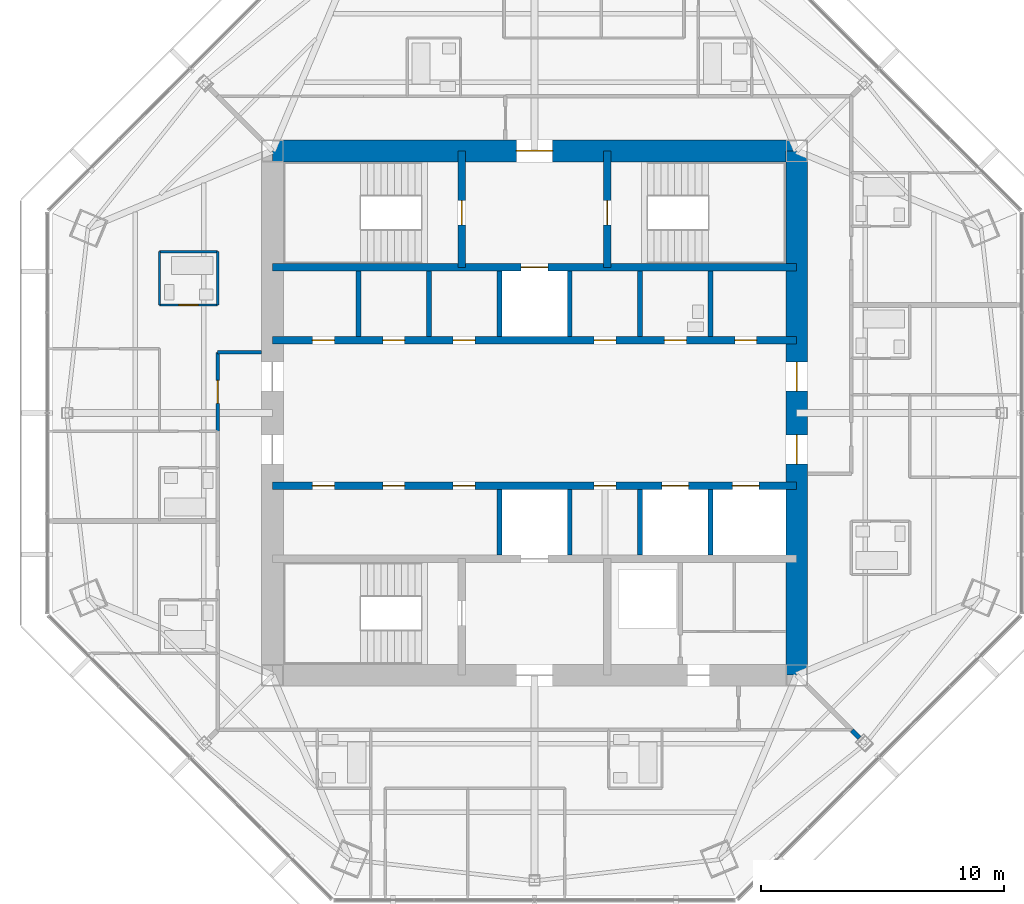
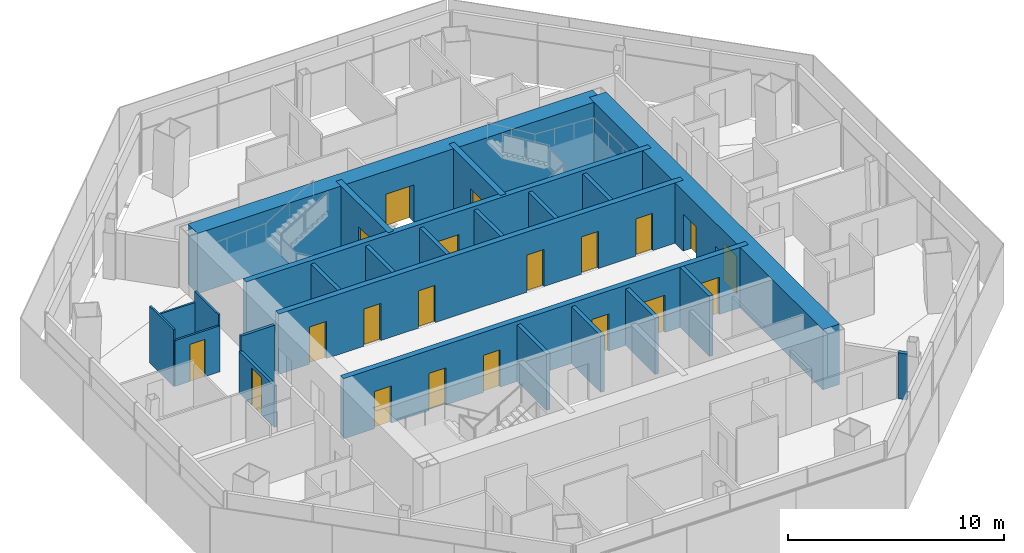
# One storey, part 11 of 15: 24 walls, 20 doors, 20 openings.
"""IFC4 building model written with IfcOpenShell, lengths in metres."""

from ifc_helpers import new_model, si_unit, direction, frame, frame_2d, origin, place, context, subcontext, project, spatial, rectangle, extrude, material, layer, layer_set, type_object, element, fill, save


model = new_model("IFC4")

# Units and contexts
model_context = context("Model", 3, precision=1e-05, world=origin(), true_north=direction((0.0, 1.0)))
body_context = subcontext(model_context, "Body", "Model", "MODEL_VIEW")
ifc_project = project(units=[si_unit("LENGTHUNIT", "METRE"), si_unit("AREAUNIT", "SQUARE_METRE"), si_unit("VOLUMEUNIT", "CUBIC_METRE"), si_unit("PLANEANGLEUNIT", "RADIAN"), si_unit("MASSUNIT", "GRAM", prefix="KILO")], contexts=[model_context])

# Site, building, storey
site_placement = place(None, origin())
site = spatial("IfcSite", under=ifc_project, at=site_placement, CompositionType="ELEMENT")
building_placement = place(site_placement, origin())
building = spatial("IfcBuilding", under=site, at=building_placement, Name="Mashrafa Tower", CompositionType="ELEMENT")
storey_placement = place(building_placement, frame((0.0, 0.0, 281.0)))
storey = spatial("IfcBuildingStorey", under=building, at=storey_placement, Name="L68", CompositionType="ELEMENT", Elevation=281.0)

# Wall
ifc_material_1 = material(Name="Gypsum board on steel studs", Category="steel")
ifc_layer_1 = layer(ifc_material_1, 0.199951171875)
ifc_layer_set_1 = layer_set([ifc_layer_1], Name="Acoustic partition 200 1 hr")
wall_type_1 = type_object("IfcWallType", Name="Acoustic partition 200 1 hr", PredefinedType="PARTITIONING", material=ifc_layer_set_1)
wall_1_placement = place(storey_placement, frame((13.0751953125, -13.0751953125, 0.0), z_axis=(0.0, 0.0, 1.0), x_axis=(0.707106781187, -0.707106781187, 0.0)))
element("IfcWall", 1, at=wall_1_placement, inside=storey, type_object=wall_type_1, Name="Acoustic wall L68-046", PredefinedType="PARTITIONING", context=body_context, shape_type="SweptSolid", body=[
    extrude(rectangle(XDim=0.43408203125, YDim=0.199951171875, at=frame_2d((0.217041015625, 0.0))), origin(), (0.0, 0.0, 1.0), 2.590576171875),
])

# Wall, openings, doors
ifc_material_2 = material(Name="Concrete C50/60", Category="concrete")
ifc_layer_2 = layer(ifc_material_2, 0.300048828125)
ifc_layer_set_2 = layer_set([ifc_layer_2], Name="Core wall 300 C50/60")
wall_type_2 = type_object("IfcWallType", Name="Core wall 300 C50/60", PredefinedType="SOLIDWALL", material=ifc_layer_set_2)
wall_2_placement = place(storey_placement, frame((-10.800048828125, 3.0, 0.0), z_axis=(0.0, 0.0, 1.0), x_axis=(1.0, 0.0, 0.0)))
wall_2 = element("IfcWall", 2, at=wall_2_placement, inside=storey, type_object=wall_type_2, Name="Core wall CH-N L68", PredefinedType="SOLIDWALL", context=body_context, shape_type="SweptSolid", body=[
    extrude(rectangle(XDim=21.60009765625, YDim=0.300048828125, at=frame_2d((10.800048828125, 0.0))), origin(), (0.0, 0.0, 1.0), 3.39990234375),
])
opening_1_placement = place(wall_2_placement, frame((1.64990234375, 0.0, 0.0)))
opening_1 = element("IfcOpeningElement", 3, at=opening_1_placement, cuts=wall_2, Name="Opening 68.044", PredefinedType="OPENING", context=body_context, shape_type="SweptSolid", body=[
    extrude(rectangle(XDim=0.89990234375, YDim=2.10009765625, at=frame_2d((0.449951171875, 1.050048828125))), frame((0.0, 0.159912109375, 0.0), z_axis=(0.0, -1.0, 0.0), x_axis=(1.0, 0.0, 0.0)), (0.0, 0.0, 1.0), 0.320068359375),
])
opening_2_placement = place(wall_2_placement, frame((13.25, 0.0, 0.0)))
opening_2 = element("IfcOpeningElement", 4, at=opening_2_placement, cuts=wall_2, Name="Opening 68.045", PredefinedType="OPENING", context=body_context, shape_type="SweptSolid", body=[
    extrude(rectangle(XDim=0.89990234375, YDim=2.10009765625, at=frame_2d((0.449951171875, 1.050048828125))), frame((0.0, 0.159912109375, 0.0), z_axis=(0.0, -1.0, 0.0), x_axis=(1.0, 0.0, 0.0)), (0.0, 0.0, 1.0), 0.320068359375),
])
opening_3_placement = place(wall_2_placement, frame((16.14990234375, 0.0, 0.0)))
opening_3 = element("IfcOpeningElement", 5, at=opening_3_placement, cuts=wall_2, Name="Opening 68.046", PredefinedType="OPENING", context=body_context, shape_type="SweptSolid", body=[
    extrude(rectangle(XDim=0.89990234375, YDim=2.10009765625, at=frame_2d((0.449951171875, 1.050048828125))), frame((0.0, 0.159912109375, 0.0), z_axis=(0.0, -1.0, 0.0), x_axis=(1.0, 0.0, 0.0)), (0.0, 0.0, 1.0), 0.320068359375),
])
opening_4_placement = place(wall_2_placement, frame((4.550048828125, 0.0, 0.0)))
opening_4 = element("IfcOpeningElement", 6, at=opening_4_placement, cuts=wall_2, Name="Opening 68.051", PredefinedType="OPENING", context=body_context, shape_type="SweptSolid", body=[
    extrude(rectangle(XDim=0.89990234375, YDim=2.10009765625, at=frame_2d((0.449951171875, 1.050048828125))), frame((0.0, 0.159912109375, 0.0), z_axis=(0.0, -1.0, 0.0), x_axis=(1.0, 0.0, 0.0)), (0.0, 0.0, 1.0), 0.320068359375),
])
opening_5_placement = place(wall_2_placement, frame((7.449951171875, 0.0, 0.0)))
opening_5 = element("IfcOpeningElement", 7, at=opening_5_placement, cuts=wall_2, Name="Opening 68.052", PredefinedType="OPENING", context=body_context, shape_type="SweptSolid", body=[
    extrude(rectangle(XDim=0.89990234375, YDim=2.10009765625, at=frame_2d((0.449951171875, 1.050048828125))), frame((0.0, 0.159912109375, 0.0), z_axis=(0.0, -1.0, 0.0), x_axis=(1.0, 0.0, 0.0)), (0.0, 0.0, 1.0), 0.320068359375),
])
opening_6_placement = place(wall_2_placement, frame((19.050048828125, 0.0, 0.0)))
opening_6 = element("IfcOpeningElement", 8, at=opening_6_placement, cuts=wall_2, Name="Opening 68.053", PredefinedType="OPENING", context=body_context, shape_type="SweptSolid", body=[
    extrude(rectangle(XDim=0.89990234375, YDim=2.10009765625, at=frame_2d((0.449951171875, 1.050048828125))), frame((0.0, 0.159912109375, 0.0), z_axis=(0.0, -1.0, 0.0), x_axis=(1.0, 0.0, 0.0)), (0.0, 0.0, 1.0), 0.320068359375),
])
ifc_material_3 = material(Name="Timber door", Category="wood")
door_type_1 = type_object("IfcDoorType", Name="Store door 900 x 2100", OperationType="USERDEFINED", PredefinedType="DOOR", material=ifc_material_3)
door_1_placement = place(opening_1_placement, origin())
door_1 = element("IfcDoor", 9, at=door_1_placement, inside=storey, type_object=door_type_1, Name="Refuse Chute Room L68 door", OperationType="SINGLE_SWING_RIGHT", OverallHeight=2.10009765625, OverallWidth=0.89990234375, PredefinedType="DOOR", context=body_context, shape_type="SweptSolid", body=[
    extrude(rectangle(XDim=0.89990234375, YDim=2.10009765625, at=frame_2d((0.449951171875, 1.050048828125))), frame((0.0, 0.02490234375, 0.0), z_axis=(0.0, -1.0, 0.0), x_axis=(1.0, 0.0, 0.0)), (0.0, 0.0, 1.0), 0.050048828125),
])
fill(opening_1, door_1)
door_2_placement = place(opening_2_placement, origin())
door_2 = element("IfcDoor", 10, at=door_2_placement, inside=storey, type_object=door_type_1, Name="Cleaner's Store L68 door", OperationType="SINGLE_SWING_LEFT", OverallHeight=2.10009765625, OverallWidth=0.89990234375, PredefinedType="DOOR", context=body_context, shape_type="SweptSolid", body=[
    extrude(rectangle(XDim=0.89990234375, YDim=2.10009765625, at=frame_2d((0.449951171875, 1.050048828125))), frame((0.0, 0.02490234375, 0.0), z_axis=(0.0, -1.0, 0.0), x_axis=(1.0, 0.0, 0.0)), (0.0, 0.0, 1.0), 0.050048828125),
])
fill(opening_2, door_2)
door_3_placement = place(opening_4_placement, origin())
door_3 = element("IfcDoor", 11, at=door_3_placement, inside=storey, type_object=door_type_1, Name="Residents' Store L68-A2 door", OperationType="SINGLE_SWING_LEFT", OverallHeight=2.10009765625, OverallWidth=0.89990234375, PredefinedType="DOOR", context=body_context, shape_type="SweptSolid", body=[
    extrude(rectangle(XDim=0.89990234375, YDim=2.10009765625, at=frame_2d((0.449951171875, 1.050048828125))), frame((0.0, 0.02490234375, 0.0), z_axis=(0.0, -1.0, 0.0), x_axis=(1.0, 0.0, 0.0)), (0.0, 0.0, 1.0), 0.050048828125),
])
fill(opening_4, door_3)
door_4_placement = place(opening_5_placement, origin())
door_4 = element("IfcDoor", 12, at=door_4_placement, inside=storey, type_object=door_type_1, Name="Residents' Store L68-A3 door", OperationType="SINGLE_SWING_LEFT", OverallHeight=2.10009765625, OverallWidth=0.89990234375, PredefinedType="DOOR", context=body_context, shape_type="SweptSolid", body=[
    extrude(rectangle(XDim=0.89990234375, YDim=2.10009765625, at=frame_2d((0.449951171875, 1.050048828125))), frame((0.0, 0.02490234375, 0.0), z_axis=(0.0, -1.0, 0.0), x_axis=(1.0, 0.0, 0.0)), (0.0, 0.0, 1.0), 0.050048828125),
])
fill(opening_5, door_4)
door_5_placement = place(opening_6_placement, origin())
door_5 = element("IfcDoor", 13, at=door_5_placement, inside=storey, type_object=door_type_1, Name="Residents' Store L68-K2 door", OperationType="SINGLE_SWING_LEFT", OverallHeight=2.10009765625, OverallWidth=0.89990234375, PredefinedType="DOOR", context=body_context, shape_type="SweptSolid", body=[
    extrude(rectangle(XDim=0.89990234375, YDim=2.10009765625, at=frame_2d((0.449951171875, 1.050048828125))), frame((0.0, 0.02490234375, 0.0), z_axis=(0.0, -1.0, 0.0), x_axis=(1.0, 0.0, 0.0)), (0.0, 0.0, 1.0), 0.050048828125),
])
fill(opening_6, door_5)
ifc_material_4 = material(Name="Timber door", Category="wood")
door_type_2 = type_object("IfcDoorType", Name="Toilet door 900 x 2100", OperationType="USERDEFINED", PredefinedType="DOOR", material=ifc_material_4)
door_6_placement = place(opening_3_placement, origin())
door_6 = element("IfcDoor", 14, at=door_6_placement, inside=storey, type_object=door_type_2, Name="Staff WC L68 door", OperationType="SINGLE_SWING_LEFT", OverallHeight=2.10009765625, OverallWidth=0.89990234375, PredefinedType="DOOR", context=body_context, shape_type="SweptSolid", body=[
    extrude(rectangle(XDim=0.89990234375, YDim=2.10009765625, at=frame_2d((0.449951171875, 1.050048828125))), frame((0.0, 0.02490234375, 0.0), z_axis=(0.0, -1.0, 0.0), x_axis=(1.0, 0.0, 0.0)), (0.0, 0.0, 1.0), 0.050048828125),
])
fill(opening_3, door_6)

# Wall, opening, door
wall_3_placement = place(storey_placement, frame((-10.800048828125, 6.0, 0.0), z_axis=(0.0, 0.0, 1.0), x_axis=(1.0, 0.0, 0.0)))
wall_3 = element("IfcWall", 15, at=wall_3_placement, inside=storey, type_object=wall_type_2, Name="Core wall CB-N L68", PredefinedType="SOLIDWALL", context=body_context, shape_type="SweptSolid", body=[
    extrude(rectangle(XDim=21.60009765625, YDim=0.300048828125, at=frame_2d((10.800048828125, 0.0))), origin(), (0.0, 0.0, 1.0), 3.39990234375),
])
opening_7_placement = place(wall_3_placement, frame((10.25, 0.0, 0.0)))
opening_7 = element("IfcOpeningElement", 16, at=opening_7_placement, cuts=wall_3, Name="Opening 68.F1", PredefinedType="OPENING", context=body_context, shape_type="SweptSolid", body=[
    extrude(rectangle(XDim=1.10009765625, YDim=2.10009765625, at=frame_2d((0.550048828125, 1.050048828125))), frame((0.0, 0.159912109375, 0.0), z_axis=(0.0, -1.0, 0.0), x_axis=(1.0, 0.0, 0.0)), (0.0, 0.0, 1.0), 0.320068359375),
])
ifc_material_5 = material(Name="Steel door", Category="steel")
door_type_3 = type_object("IfcDoorType", Name="Lift landing door 1100 x 2100 90 min", OperationType="DOUBLE_DOOR_SLIDING", PredefinedType="DOOR", material=ifc_material_5)
door_7_placement = place(opening_7_placement, origin())
door_7 = element("IfcDoor", 17, at=door_7_placement, inside=storey, type_object=door_type_3, Name="Lift landing door F1 L68", OperationType="DOUBLE_DOOR_SLIDING", OverallHeight=2.10009765625, OverallWidth=1.10009765625, PredefinedType="DOOR", context=body_context, shape_type="SweptSolid", body=[
    extrude(rectangle(XDim=1.10009765625, YDim=2.10009765625, at=frame_2d((0.550048828125, 1.050048828125))), frame((0.0, 0.02490234375, 0.0), z_axis=(0.0, -1.0, 0.0), x_axis=(1.0, 0.0, 0.0)), (0.0, 0.0, 1.0), 0.050048828125),
])
fill(opening_7, door_7)

wall_4_placement = place(storey_placement, frame((-3.0, 6.0, 0.0), z_axis=(0.0, 0.0, 1.0), x_axis=(0.0, 1.0, 0.0)))
wall_4 = element("IfcWall", 18, at=wall_4_placement, inside=storey, type_object=wall_type_2, Name="Core wall CX-NW L68", PredefinedType="SOLIDWALL", context=body_context, shape_type="SweptSolid", body=[
    extrude(rectangle(XDim=4.800048828125, YDim=0.300048828125, at=frame_2d((2.39990234375, 0.0))), origin(), (0.0, 0.0, 1.0), 3.39990234375),
])
opening_8_placement = place(wall_4_placement, frame((1.75, 0.0, 0.0)))
opening_8 = element("IfcOpeningElement", 19, at=opening_8_placement, cuts=wall_4, Name="Opening 68.037", PredefinedType="OPENING", context=body_context, shape_type="SweptSolid", body=[
    extrude(rectangle(XDim=1.0, YDim=2.10009765625, at=frame_2d((0.5, 1.050048828125))), frame((0.0, 0.159912109375, 0.0), z_axis=(0.0, -1.0, 0.0), x_axis=(1.0, 0.0, 0.0)), (0.0, 0.0, 1.0), 0.320068359375),
])
ifc_material_6 = material(Name="Steel door", Category="steel")
door_type_4 = type_object("IfcDoorType", Name="Stair door 1000 x 2100 90 min", OperationType="USERDEFINED", PredefinedType="DOOR", material=ifc_material_6)
door_8_placement = place(opening_8_placement, origin())
door_8 = element("IfcDoor", 20, at=door_8_placement, inside=storey, type_object=door_type_4, Name="Stair S1 door L68", OperationType="SINGLE_SWING_LEFT", OverallHeight=2.10009765625, OverallWidth=1.0, PredefinedType="DOOR", context=body_context, shape_type="SweptSolid", body=[
    extrude(rectangle(XDim=1.0, YDim=2.10009765625, at=frame_2d((0.5, 1.050048828125))), frame((0.0, 0.02490234375, 0.0), z_axis=(0.0, -1.0, 0.0), x_axis=(1.0, 0.0, 0.0)), (0.0, 0.0, 1.0), 0.050048828125),
])
fill(opening_8, door_8)

wall_5_placement = place(storey_placement, frame((3.0, 6.0, 0.0), z_axis=(0.0, 0.0, 1.0), x_axis=(0.0, 1.0, 0.0)))
wall_5 = element("IfcWall", 21, at=wall_5_placement, inside=storey, type_object=wall_type_2, Name="Core wall CX-NE L68", PredefinedType="SOLIDWALL", context=body_context, shape_type="SweptSolid", body=[
    extrude(rectangle(XDim=4.800048828125, YDim=0.300048828125, at=frame_2d((2.39990234375, 0.0))), origin(), (0.0, 0.0, 1.0), 3.39990234375),
])
opening_9_placement = place(wall_5_placement, frame((1.75, 0.0, 0.0)))
opening_9 = element("IfcOpeningElement", 22, at=opening_9_placement, cuts=wall_5, Name="Opening 68.038", PredefinedType="OPENING", context=body_context, shape_type="SweptSolid", body=[
    extrude(rectangle(XDim=1.0, YDim=2.10009765625, at=frame_2d((0.5, 1.050048828125))), frame((0.0, 0.159912109375, 0.0), z_axis=(0.0, -1.0, 0.0), x_axis=(1.0, 0.0, 0.0)), (0.0, 0.0, 1.0), 0.320068359375),
])
door_9_placement = place(opening_9_placement, frame((1.0, 0.0, 0.0), z_axis=(0.0, 0.0, 1.0), x_axis=(-1.0, 0.0, 0.0)))
door_9 = element("IfcDoor", 23, at=door_9_placement, inside=storey, type_object=door_type_4, Name="Stair S2 door L68", OperationType="SINGLE_SWING_RIGHT", OverallHeight=2.10009765625, OverallWidth=1.0, PredefinedType="DOOR", context=body_context, shape_type="SweptSolid", body=[
    extrude(rectangle(XDim=1.0, YDim=2.10009765625, at=frame_2d((0.5, 1.050048828125))), frame((0.0, 0.02490234375, 0.0), z_axis=(0.0, -1.0, 0.0), x_axis=(1.0, 0.0, 0.0)), (0.0, 0.0, 1.0), 0.050048828125),
])
fill(opening_9, door_9)

# Wall, openings, doors
wall_6_placement = place(storey_placement, frame((-10.800048828125, -3.0, 0.0), z_axis=(0.0, 0.0, 1.0), x_axis=(1.0, 0.0, 0.0)))
wall_6 = element("IfcWall", 24, at=wall_6_placement, inside=storey, type_object=wall_type_2, Name="Core wall CH-S L68", PredefinedType="SOLIDWALL", context=body_context, shape_type="SweptSolid", body=[
    extrude(rectangle(XDim=21.60009765625, YDim=0.300048828125, at=frame_2d((10.800048828125, 0.0))), origin(), (0.0, 0.0, 1.0), 3.39990234375),
])
opening_10_placement = place(wall_6_placement, frame((13.25, 0.0, 0.0)))
opening_10 = element("IfcOpeningElement", 25, at=opening_10_placement, cuts=wall_6, Name="Opening 68.047", PredefinedType="OPENING", context=body_context, shape_type="SweptSolid", body=[
    extrude(rectangle(XDim=0.89990234375, YDim=2.10009765625, at=frame_2d((0.449951171875, 1.050048828125))), frame((0.0, 0.159912109375, 0.0), z_axis=(0.0, -1.0, 0.0), x_axis=(1.0, 0.0, 0.0)), (0.0, 0.0, 1.0), 0.320068359375),
])
opening_11_placement = place(wall_6_placement, frame((1.64990234375, 0.0, 0.0)))
opening_11 = element("IfcOpeningElement", 26, at=opening_11_placement, cuts=wall_6, Name="Opening 68.048", PredefinedType="OPENING", context=body_context, shape_type="SweptSolid", body=[
    extrude(rectangle(XDim=0.89990234375, YDim=2.10009765625, at=frame_2d((0.449951171875, 1.050048828125))), frame((0.0, 0.159912109375, 0.0), z_axis=(0.0, -1.0, 0.0), x_axis=(1.0, 0.0, 0.0)), (0.0, 0.0, 1.0), 0.320068359375),
])
opening_12_placement = place(wall_6_placement, frame((4.550048828125, 0.0, 0.0)))
opening_12 = element("IfcOpeningElement", 27, at=opening_12_placement, cuts=wall_6, Name="Opening 68.049", PredefinedType="OPENING", context=body_context, shape_type="SweptSolid", body=[
    extrude(rectangle(XDim=0.89990234375, YDim=2.10009765625, at=frame_2d((0.449951171875, 1.050048828125))), frame((0.0, 0.159912109375, 0.0), z_axis=(0.0, -1.0, 0.0), x_axis=(1.0, 0.0, 0.0)), (0.0, 0.0, 1.0), 0.320068359375),
])
opening_13_placement = place(wall_6_placement, frame((7.449951171875, 0.0, 0.0)))
opening_13 = element("IfcOpeningElement", 28, at=opening_13_placement, cuts=wall_6, Name="Opening 68.050", PredefinedType="OPENING", context=body_context, shape_type="SweptSolid", body=[
    extrude(rectangle(XDim=0.89990234375, YDim=2.10009765625, at=frame_2d((0.449951171875, 1.050048828125))), frame((0.0, 0.159912109375, 0.0), z_axis=(0.0, -1.0, 0.0), x_axis=(1.0, 0.0, 0.0)), (0.0, 0.0, 1.0), 0.320068359375),
])
opening_14_placement = place(wall_6_placement, frame((16.050048828125, 0.0, 0.0)))
opening_14 = element("IfcOpeningElement", 29, at=opening_14_placement, cuts=wall_6, Name="Opening 68.R1", PredefinedType="OPENING", context=body_context, shape_type="SweptSolid", body=[
    extrude(rectangle(XDim=1.10009765625, YDim=2.10009765625, at=frame_2d((0.550048828125, 1.050048828125))), frame((0.0, 0.159912109375, 0.0), z_axis=(0.0, -1.0, 0.0), x_axis=(1.0, 0.0, 0.0)), (0.0, 0.0, 1.0), 0.320068359375),
])
opening_15_placement = place(wall_6_placement, frame((18.949951171875, 0.0, 0.0)))
opening_15 = element("IfcOpeningElement", 30, at=opening_15_placement, cuts=wall_6, Name="Opening 68.R2", PredefinedType="OPENING", context=body_context, shape_type="SweptSolid", body=[
    extrude(rectangle(XDim=1.10009765625, YDim=2.10009765625, at=frame_2d((0.550048828125, 1.050048828125))), frame((0.0, 0.159912109375, 0.0), z_axis=(0.0, -1.0, 0.0), x_axis=(1.0, 0.0, 0.0)), (0.0, 0.0, 1.0), 0.320068359375),
])
door_10_placement = place(opening_14_placement, origin())
door_10 = element("IfcDoor", 31, at=door_10_placement, inside=storey, type_object=door_type_3, Name="Lift landing door R1 L68", OperationType="DOUBLE_DOOR_SLIDING", OverallHeight=2.10009765625, OverallWidth=1.10009765625, PredefinedType="DOOR", context=body_context, shape_type="SweptSolid", body=[
    extrude(rectangle(XDim=1.10009765625, YDim=2.10009765625, at=frame_2d((0.550048828125, 1.050048828125))), frame((0.0, 0.02490234375, 0.0), z_axis=(0.0, -1.0, 0.0), x_axis=(1.0, 0.0, 0.0)), (0.0, 0.0, 1.0), 0.050048828125),
])
fill(opening_14, door_10)
door_11_placement = place(opening_15_placement, origin())
door_11 = element("IfcDoor", 32, at=door_11_placement, inside=storey, type_object=door_type_3, Name="Lift landing door R2 L68", OperationType="DOUBLE_DOOR_SLIDING", OverallHeight=2.10009765625, OverallWidth=1.10009765625, PredefinedType="DOOR", context=body_context, shape_type="SweptSolid", body=[
    extrude(rectangle(XDim=1.10009765625, YDim=2.10009765625, at=frame_2d((0.550048828125, 1.050048828125))), frame((0.0, 0.02490234375, 0.0), z_axis=(0.0, -1.0, 0.0), x_axis=(1.0, 0.0, 0.0)), (0.0, 0.0, 1.0), 0.050048828125),
])
fill(opening_15, door_11)
door_12_placement = place(opening_10_placement, frame((0.89990234375, 0.0, 0.0), z_axis=(0.0, 0.0, 1.0), x_axis=(-1.0, 0.0, 0.0)))
door_12 = element("IfcDoor", 33, at=door_12_placement, inside=storey, type_object=door_type_1, Name="Linen Store L68 door", OperationType="SINGLE_SWING_RIGHT", OverallHeight=2.10009765625, OverallWidth=0.89990234375, PredefinedType="DOOR", context=body_context, shape_type="SweptSolid", body=[
    extrude(rectangle(XDim=0.89990234375, YDim=2.10009765625, at=frame_2d((0.449951171875, 1.050048828125))), frame((0.0, 0.02490234375, 0.0), z_axis=(0.0, -1.0, 0.0), x_axis=(1.0, 0.0, 0.0)), (0.0, 0.0, 1.0), 0.050048828125),
])
fill(opening_10, door_12)
door_13_placement = place(opening_11_placement, frame((0.89990234375, 0.0, 0.0), z_axis=(0.0, 0.0, 1.0), x_axis=(-1.0, 0.0, 0.0)))
door_13 = element("IfcDoor", 34, at=door_13_placement, inside=storey, type_object=door_type_1, Name="Residents' Storage Room L68 door", OperationType="SINGLE_SWING_RIGHT", OverallHeight=2.10009765625, OverallWidth=0.89990234375, PredefinedType="DOOR", context=body_context, shape_type="SweptSolid", body=[
    extrude(rectangle(XDim=0.89990234375, YDim=2.10009765625, at=frame_2d((0.449951171875, 1.050048828125))), frame((0.0, 0.02490234375, 0.0), z_axis=(0.0, -1.0, 0.0), x_axis=(1.0, 0.0, 0.0)), (0.0, 0.0, 1.0), 0.050048828125),
])
fill(opening_11, door_13)
door_14_placement = place(opening_12_placement, frame((0.89990234375, 0.0, 0.0), z_axis=(0.0, 0.0, 1.0), x_axis=(-1.0, 0.0, 0.0)))
door_14 = element("IfcDoor", 35, at=door_14_placement, inside=storey, type_object=door_type_1, Name="Residents' Storage Room L68 door", OperationType="SINGLE_SWING_LEFT", OverallHeight=2.10009765625, OverallWidth=0.89990234375, PredefinedType="DOOR", context=body_context, shape_type="SweptSolid", body=[
    extrude(rectangle(XDim=0.89990234375, YDim=2.10009765625, at=frame_2d((0.449951171875, 1.050048828125))), frame((0.0, 0.02490234375, 0.0), z_axis=(0.0, -1.0, 0.0), x_axis=(1.0, 0.0, 0.0)), (0.0, 0.0, 1.0), 0.050048828125),
])
fill(opening_12, door_14)
door_15_placement = place(opening_13_placement, frame((0.89990234375, 0.0, 0.0), z_axis=(0.0, 0.0, 1.0), x_axis=(-1.0, 0.0, 0.0)))
door_15 = element("IfcDoor", 36, at=door_15_placement, inside=storey, type_object=door_type_1, Name="Residents' Storage Room L68 door", OperationType="SINGLE_SWING_LEFT", OverallHeight=2.10009765625, OverallWidth=0.89990234375, PredefinedType="DOOR", context=body_context, shape_type="SweptSolid", body=[
    extrude(rectangle(XDim=0.89990234375, YDim=2.10009765625, at=frame_2d((0.449951171875, 1.050048828125))), frame((0.0, 0.02490234375, 0.0), z_axis=(0.0, -1.0, 0.0), x_axis=(1.0, 0.0, 0.0)), (0.0, 0.0, 1.0), 0.050048828125),
])
fill(opening_13, door_15)

ifc_material_7 = material(Name="Concrete C50/60", Category="concrete")
ifc_layer_3 = layer(ifc_material_7, 0.89990234375)
ifc_layer_set_3 = layer_set([ifc_layer_3], Name="Core wall 900 C50/60")
wall_type_3 = type_object("IfcWallType", Name="Core wall 900 C50/60", PredefinedType="SOLIDWALL", material=ifc_layer_set_3)
wall_7_placement = place(storey_placement, frame((10.800048828125, -10.800048828125, 0.0), z_axis=(0.0, 0.0, 1.0), x_axis=(0.0, 1.0, 0.0)))
wall_7 = element("IfcWall", 37, at=wall_7_placement, inside=storey, type_object=wall_type_3, Name="Core wall CW-E L68", PredefinedType="SOLIDWALL", context=body_context, shape_type="SweptSolid", body=[
    extrude(rectangle(XDim=21.60009765625, YDim=0.89990234375, at=frame_2d((10.800048828125, 0.0))), origin(), (0.0, 0.0, 1.0), 3.39990234375),
])
opening_16_placement = place(wall_7_placement, frame((11.699951171875, 0.0, 0.0)))
opening_16 = element("IfcOpeningElement", 38, at=opening_16_placement, cuts=wall_7, Name="Opening 68.031", PredefinedType="OPENING", context=body_context, shape_type="SweptSolid", body=[
    extrude(rectangle(XDim=1.199951171875, YDim=2.10009765625, at=frame_2d((0.60009765625, 1.050048828125))), frame((0.0, 0.4599609375, 0.0), z_axis=(0.0, -1.0, 0.0), x_axis=(1.0, 0.0, 0.0)), (0.0, 0.0, 1.0), 0.919921875),
])
opening_17_placement = place(wall_7_placement, frame((8.699951171875, 0.0, 0.0)))
opening_17 = element("IfcOpeningElement", 39, at=opening_17_placement, cuts=wall_7, Name="Opening 68.033", PredefinedType="OPENING", context=body_context, shape_type="SweptSolid", body=[
    extrude(rectangle(XDim=1.199951171875, YDim=2.10009765625, at=frame_2d((0.60009765625, 1.050048828125))), frame((0.0, 0.4599609375, 0.0), z_axis=(0.0, -1.0, 0.0), x_axis=(1.0, 0.0, 0.0)), (0.0, 0.0, 1.0), 0.919921875),
])
ifc_material_8 = material(Name="Steel door", Category="steel")
door_type_5 = type_object("IfcDoorType", Name="Lift hall door 1200 x 2100 90 min", OperationType="USERDEFINED", PredefinedType="DOOR", material=ifc_material_8)
door_16_placement = place(opening_16_placement, frame((1.199951171875, 0.0, 0.0), z_axis=(0.0, 0.0, 1.0), x_axis=(-1.0, 0.0, 0.0)))
door_16 = element("IfcDoor", 40, at=door_16_placement, inside=storey, type_object=door_type_5, Name="Lift hall door east L68", OperationType="SINGLE_SWING_RIGHT", OverallHeight=2.10009765625, OverallWidth=1.199951171875, PredefinedType="DOOR", context=body_context, shape_type="SweptSolid", body=[
    extrude(rectangle(XDim=1.199951171875, YDim=2.10009765625, at=frame_2d((0.60009765625, 1.050048828125))), frame((0.0, 0.02490234375, 0.0), z_axis=(0.0, -1.0, 0.0), x_axis=(1.0, 0.0, 0.0)), (0.0, 0.0, 1.0), 0.050048828125),
])
fill(opening_16, door_16)
door_17_placement = place(opening_17_placement, frame((1.199951171875, 0.0, 0.0), z_axis=(0.0, 0.0, 1.0), x_axis=(-1.0, 0.0, 0.0)))
door_17 = element("IfcDoor", 41, at=door_17_placement, inside=storey, type_object=door_type_5, Name="Lift hall door east L68", OperationType="SINGLE_SWING_RIGHT", OverallHeight=2.10009765625, OverallWidth=1.199951171875, PredefinedType="DOOR", context=body_context, shape_type="SweptSolid", body=[
    extrude(rectangle(XDim=1.199951171875, YDim=2.10009765625, at=frame_2d((0.60009765625, 1.050048828125))), frame((0.0, 0.02490234375, 0.0), z_axis=(0.0, -1.0, 0.0), x_axis=(1.0, 0.0, 0.0)), (0.0, 0.0, 1.0), 0.050048828125),
])
fill(opening_17, door_17)

# Wall, opening, door
wall_8_placement = place(storey_placement, frame((10.800048828125, 10.800048828125, 0.0), z_axis=(0.0, 0.0, 1.0), x_axis=(-1.0, 0.0, 0.0)))
wall_8 = element("IfcWall", 42, at=wall_8_placement, inside=storey, type_object=wall_type_3, Name="Core wall CW-N L68", PredefinedType="SOLIDWALL", context=body_context, shape_type="SweptSolid", body=[
    extrude(rectangle(XDim=21.60009765625, YDim=0.89990234375, at=frame_2d((10.800048828125, 0.0))), origin(), (0.0, 0.0, 1.0), 3.39990234375),
])
opening_18_placement = place(wall_8_placement, frame((10.050048828125, 0.0, 0.0)))
opening_18 = element("IfcOpeningElement", 43, at=opening_18_placement, cuts=wall_8, Name="Opening 68.035", PredefinedType="OPENING", context=body_context, shape_type="SweptSolid", body=[
    extrude(rectangle(XDim=1.5, YDim=2.10009765625, at=frame_2d((0.75, 1.050048828125))), frame((0.0, 0.4599609375, 0.0), z_axis=(0.0, -1.0, 0.0), x_axis=(1.0, 0.0, 0.0)), (0.0, 0.0, 1.0), 0.919921875),
])
ifc_material_9 = material(Name="Steel door", Category="steel")
door_type_6 = type_object("IfcDoorType", Name="Lobby door pair 1500 x 2100 90 min", OperationType="DOUBLE_DOOR_SINGLE_SWING", PredefinedType="DOOR", material=ifc_material_9)
door_18_placement = place(opening_18_placement, origin())
door_18 = element("IfcDoor", 44, at=door_18_placement, inside=storey, type_object=door_type_6, Name="Fire-fighting lobby F1 door L68", OperationType="DOUBLE_DOOR_SINGLE_SWING", OverallHeight=2.10009765625, OverallWidth=1.5, PredefinedType="DOOR", context=body_context, shape_type="SweptSolid", body=[
    extrude(rectangle(XDim=1.5, YDim=2.10009765625, at=frame_2d((0.75, 1.050048828125))), frame((0.0, 0.02490234375, 0.0), z_axis=(0.0, -1.0, 0.0), x_axis=(1.0, 0.0, 0.0)), (0.0, 0.0, 1.0), 0.050048828125),
])
fill(opening_18, door_18)

# Wall
ifc_material_10 = material(Name="Gypsum board on steel studs", Category="steel")
ifc_layer_4 = layer(ifc_material_10, 0.14990234375)
ifc_layer_set_4 = layer_set([ifc_layer_4], Name="Corridor partition 150 1 hr")
wall_type_4 = type_object("IfcWallType", Name="Corridor partition 150 1 hr", PredefinedType="PARTITIONING", material=ifc_layer_set_4)
wall_9_placement = place(storey_placement, frame((-11.25, 2.5, 0.0), z_axis=(0.0, 0.0, 1.0), x_axis=(-1.0, 0.0, 0.0)))
element("IfcWall", 45, at=wall_9_placement, inside=storey, type_object=wall_type_4, Name="Corridor wall L68-015", PredefinedType="PARTITIONING", context=body_context, shape_type="SweptSolid", body=[
    extrude(rectangle(XDim=1.800048828125, YDim=0.14990234375, at=frame_2d((0.89990234375, 0.0))), origin(), (0.0, 0.0, 1.0), 3.199951171875),
])

# Wall, opening, door
wall_10_placement = place(storey_placement, frame((-13.050048828125, 2.5, 0.0), z_axis=(0.0, 0.0, 1.0), x_axis=(0.0, -1.0, 0.0)))
wall_10 = element("IfcWall", 46, at=wall_10_placement, inside=storey, type_object=wall_type_4, Name="Corridor wall L68-016", PredefinedType="PARTITIONING", context=body_context, shape_type="SweptSolid", body=[
    extrude(rectangle(XDim=3.2509765625, YDim=0.14990234375, at=frame_2d((1.62548828125, 0.0))), origin(), (0.0, 0.0, 1.0), 2.34423828125),
])
opening_19_placement = place(wall_10_placement, frame((1.150390625, 0.0, 0.0)))
opening_19 = element("IfcOpeningElement", 47, at=opening_19_placement, cuts=wall_10, Name="Opening 68.020", PredefinedType="OPENING", context=body_context, shape_type="SweptSolid", body=[
    extrude(rectangle(XDim=0.949951171875, YDim=2.10009765625, at=frame_2d((0.47509765625, 1.050048828125))), frame((0.0, 0.0849609375, 0.0), z_axis=(0.0, -1.0, 0.0), x_axis=(1.0, 0.0, 0.0)), (0.0, 0.0, 1.0), 0.169921875),
])
ifc_material_11 = material(Name="Steel door", Category="steel")
door_type_7 = type_object("IfcDoorType", Name="Residence entrance door 950 x 2100 20 min", OperationType="USERDEFINED", PredefinedType="DOOR", material=ifc_material_11)
door_19_placement = place(opening_19_placement, frame((0.949951171875, 0.0, 0.0), z_axis=(0.0, 0.0, 1.0), x_axis=(-1.0, 0.0, 0.0)))
door_19 = element("IfcDoor", 48, at=door_19_placement, inside=storey, type_object=door_type_7, Name="Apartment 6804 Living Room door", OperationType="SINGLE_SWING_LEFT", OverallHeight=2.10009765625, OverallWidth=0.949951171875, PredefinedType="DOOR", context=body_context, shape_type="SweptSolid", body=[
    extrude(rectangle(XDim=0.949951171875, YDim=2.10009765625, at=frame_2d((0.47509765625, 1.050048828125))), frame((0.0, 0.02490234375, 0.0), z_axis=(0.0, -1.0, 0.0), x_axis=(1.0, 0.0, 0.0)), (0.0, 0.0, 1.0), 0.050048828125),
])
fill(opening_19, door_19)

# Walls
ifc_material_12 = material(Name="Gypsum board on steel studs", Category="steel")
ifc_layer_5 = layer(ifc_material_12, 0.10009765625)
ifc_layer_set_5 = layer_set([ifc_layer_5], Name="Partition 100")
wall_type_5 = type_object("IfcWallType", Name="Partition 100", PredefinedType="PARTITIONING", material=ifc_layer_set_5)
wall_11_placement = place(storey_placement, frame((-15.449951171875, 6.64990234375, 0.0), z_axis=(0.0, 0.0, 1.0), x_axis=(1.0, 0.0, 0.0)))
element("IfcWall", 49, at=wall_11_placement, inside=storey, type_object=wall_type_5, Name="Partition wall L68-067", PredefinedType="PARTITIONING", context=body_context, shape_type="SweptSolid", body=[
    extrude(rectangle(XDim=2.39990234375, YDim=0.10009765625, at=frame_2d((1.199951171875, 0.0))), origin(), (0.0, 0.0, 1.0), 2.590576171875),
])
wall_12_placement = place(storey_placement, frame((-15.449951171875, 6.64990234375, 0.0), z_axis=(0.0, 0.0, 1.0), x_axis=(0.0, -1.0, 0.0)))
element("IfcWall", 50, at=wall_12_placement, inside=storey, type_object=wall_type_5, Name="Partition wall L68-068", PredefinedType="PARTITIONING", context=body_context, shape_type="SweptSolid", body=[
    extrude(rectangle(XDim=2.199951171875, YDim=0.10009765625, at=frame_2d((1.10009765625, 0.0))), origin(), (0.0, 0.0, 1.0), 3.199951171875),
])

# Wall, opening, door
wall_13_placement = place(storey_placement, frame((-15.449951171875, 4.449951171875, 0.0), z_axis=(0.0, 0.0, 1.0), x_axis=(1.0, 0.0, 0.0)))
wall_13 = element("IfcWall", 51, at=wall_13_placement, inside=storey, type_object=wall_type_5, Name="Partition wall L68-069", PredefinedType="PARTITIONING", context=body_context, shape_type="SweptSolid", body=[
    extrude(rectangle(XDim=2.39990234375, YDim=0.10009765625, at=frame_2d((1.199951171875, 0.0))), origin(), (0.0, 0.0, 1.0), 2.590576171875),
])
opening_20_placement = place(wall_13_placement, frame((0.800048828125, 0.0, 0.0)))
opening_20 = element("IfcOpeningElement", 52, at=opening_20_placement, cuts=wall_13, Name="Opening 68.016", PredefinedType="OPENING", context=body_context, shape_type="SweptSolid", body=[
    extrude(rectangle(XDim=0.800048828125, YDim=2.10009765625, at=frame_2d((0.39990234375, 1.050048828125))), frame((0.0, 0.06005859375, 0.0), z_axis=(0.0, -1.0, 0.0), x_axis=(1.0, 0.0, 0.0)), (0.0, 0.0, 1.0), 0.1201171875),
])
ifc_material_13 = material(Name="Timber door", Category="wood")
door_type_8 = type_object("IfcDoorType", Name="Bathroom door 800 x 2100", OperationType="USERDEFINED", PredefinedType="DOOR", material=ifc_material_13)
door_20_placement = place(opening_20_placement, origin())
door_20 = element("IfcDoor", 53, at=door_20_placement, inside=storey, type_object=door_type_8, Name="Apartment 6804 Bathroom door", OperationType="SINGLE_SWING_RIGHT", OverallHeight=2.10009765625, OverallWidth=0.800048828125, PredefinedType="DOOR", context=body_context, shape_type="SweptSolid", body=[
    extrude(rectangle(XDim=0.800048828125, YDim=2.10009765625, at=frame_2d((0.39990234375, 1.050048828125))), frame((0.0, 0.02490234375, 0.0), z_axis=(0.0, -1.0, 0.0), x_axis=(1.0, 0.0, 0.0)), (0.0, 0.0, 1.0), 0.050048828125),
])
fill(opening_20, door_20)

# Walls
wall_14_placement = place(storey_placement, frame((-13.050048828125, 4.449951171875, 0.0), z_axis=(0.0, 0.0, 1.0), x_axis=(0.0, 1.0, 0.0)))
element("IfcWall", 54, at=wall_14_placement, inside=storey, type_object=wall_type_5, Name="Partition wall L68-070", PredefinedType="PARTITIONING", context=body_context, shape_type="SweptSolid", body=[
    extrude(rectangle(XDim=2.199951171875, YDim=0.10009765625, at=frame_2d((1.10009765625, 0.0))), origin(), (0.0, 0.0, 1.0), 3.199951171875),
])
ifc_material_14 = material(Name="Gypsum shaft wall on steel studs", Category="steel")
ifc_layer_6 = layer(ifc_material_14, 0.199951171875)
ifc_layer_set_6 = layer_set([ifc_layer_6], Name="Shaft divider wall 200 2 hr")
wall_type_6 = type_object("IfcWallType", Name="Shaft divider wall 200 2 hr", PredefinedType="PARTITIONING", material=ifc_layer_set_6)
for number, where, z_axis, x_axis, name in (
    (55, (-7.25, 3.14990234375, 0.0), (0.0, 0.0, 1.0), (0.0, 1.0, 0.0), "Shaft divider wall N1 L68"),
    (56, (-4.35009765625, 3.14990234375, 0.0), (0.0, 0.0, 1.0), (0.0, 1.0, 0.0), "Shaft divider wall N2 L68"),
    (57, (-1.449951171875, 3.14990234375, 0.0), (0.0, 0.0, 1.0), (0.0, 1.0, 0.0), "Shaft divider wall N3 L68"),
    (58, (1.449951171875, 3.14990234375, 0.0), (0.0, 0.0, 1.0), (0.0, 1.0, 0.0), "Shaft divider wall N4 L68"),
    (59, (4.35009765625, 3.14990234375, 0.0), (0.0, 0.0, 1.0), (0.0, 1.0, 0.0), "Shaft divider wall N5 L68"),
    (60, (7.25, 3.14990234375, 0.0), (0.0, 0.0, 1.0), (0.0, 1.0, 0.0), "Shaft divider wall N6 L68"),
    (61, (-1.449951171875, -5.85009765625, 0.0), (0.0, 0.0, 1.0), (0.0, 1.0, 0.0), "Shaft divider wall S3 L68"),
    (62, (1.449951171875, -5.85009765625, 0.0), (0.0, 0.0, 1.0), (0.0, 1.0, 0.0), "Shaft divider wall S4 L68"),
    (63, (4.35009765625, -5.85009765625, 0.0), (0.0, 0.0, 1.0), (0.0, 1.0, 0.0), "Shaft divider wall S5 L68"),
):
    element("IfcWall", number, at=place(storey_placement, frame(where, z_axis=z_axis, x_axis=x_axis)), inside=storey, type_object=wall_type_6, Name=name, PredefinedType="PARTITIONING", context=body_context, shape_type="SweptSolid", body=[
        extrude(rectangle(XDim=2.7001953125, YDim=0.199951171875, at=frame_2d((1.35009765625, 0.0))), origin(), (0.0, 0.0, 1.0), 3.199951171875),
    ])
wall_15_placement = place(storey_placement, frame((7.25, -5.85009765625, 0.0), z_axis=(0.0, 0.0, 1.0), x_axis=(0.0, 1.0, 0.0)))
element("IfcWall", 64, at=wall_15_placement, inside=storey, type_object=wall_type_6, Name="Shaft divider wall S6 L68", PredefinedType="PARTITIONING", context=body_context, shape_type="SweptSolid", body=[
    extrude(rectangle(XDim=2.7001953125, YDim=0.199951171875, at=frame_2d((1.35009765625, 0.0))), origin(), (0.0, 0.0, 1.0), 3.39990234375),
])

save(model, "model.ifc")
